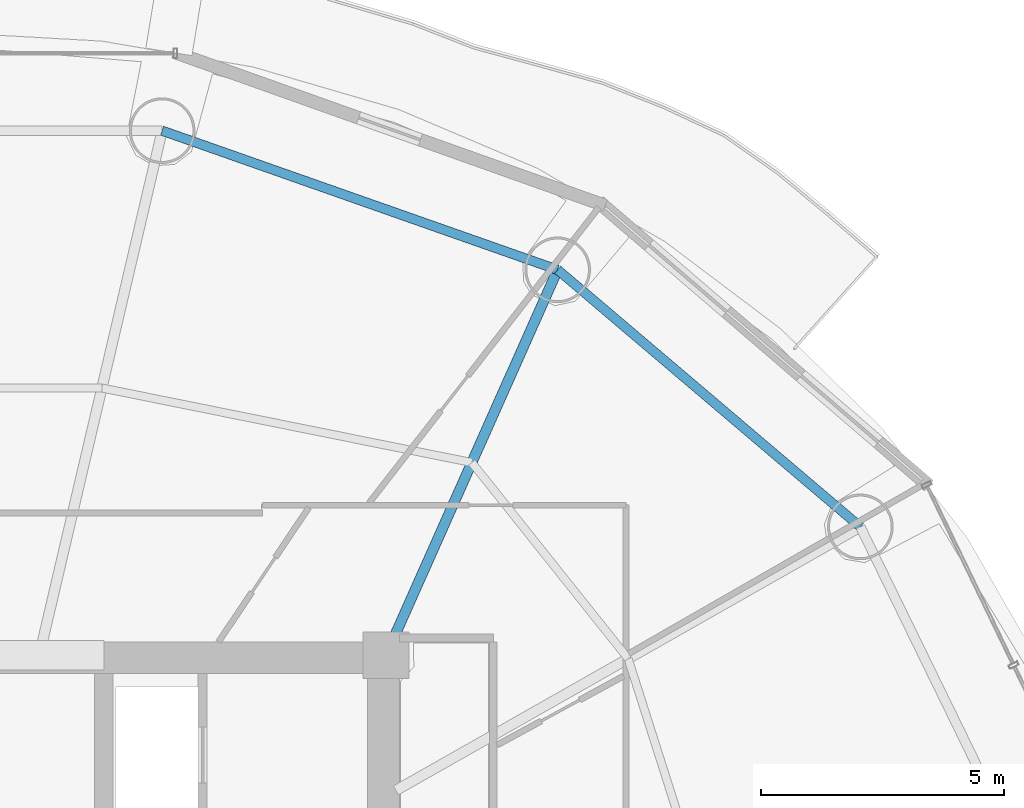
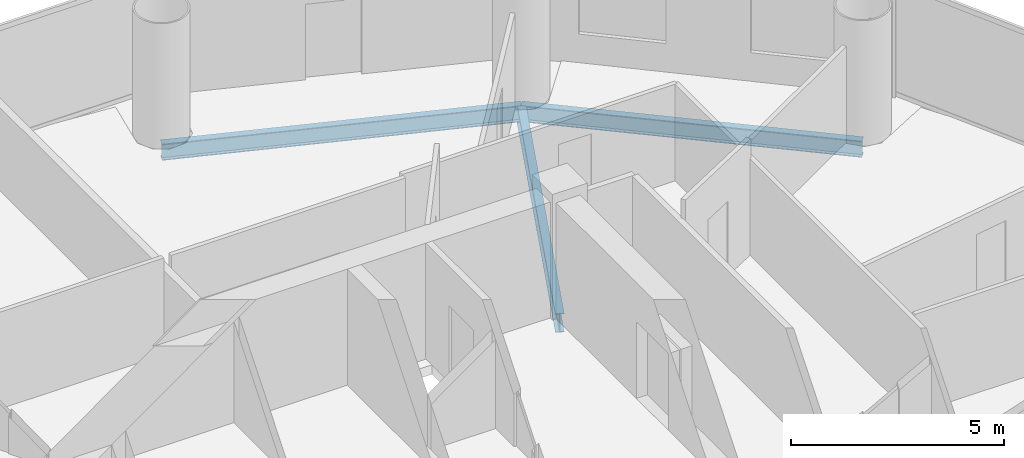
# One storey, part 17 of 26: 3 beams.
"""IFC4 building model written with IfcOpenShell, lengths in metres."""

from ifc_helpers import new_model, si_unit, direction, frame, origin, origin_2d, place, context, subcontext, project, spatial, i_section, extrude, material, material_profile, profile_set, type_object, element, save


model = new_model("IFC4")

# Units and contexts
model_context = context("Model", 3, precision=1e-05, world=origin(), true_north=direction((-0.2419218956, 0.970295726276)))
body_context = subcontext(model_context, "Body", "Model", "MODEL_VIEW")
ifc_project = project(units=[si_unit("LENGTHUNIT", "METRE"), si_unit("AREAUNIT", "SQUARE_METRE"), si_unit("VOLUMEUNIT", "CUBIC_METRE"), si_unit("PLANEANGLEUNIT", "RADIAN"), si_unit("MASSUNIT", "GRAM", prefix="KILO")], contexts=[model_context])

# Site, building, storey
site_placement = place(None, origin())
site = spatial("IfcSite", under=ifc_project, at=site_placement, CompositionType="ELEMENT")
building_placement = place(site_placement, origin())
building = spatial("IfcBuilding", under=site, at=building_placement, Name="Cobrevalo Terracotta Tower", CompositionType="ELEMENT")
storey_placement = place(building_placement, frame((0.0, 0.0, 175.0)))
storey = spatial("IfcBuildingStorey", under=building, at=storey_placement, Name="L46", CompositionType="ELEMENT", Elevation=175.0)

# Beams
ifc_material = material(Name="Steel S355", Category="steel")
ifc_material_profile_1 = material_profile(ifc_material, i_section(OverallWidth=0.2109375, OverallDepth=0.5390625, WebThickness=0.01171875, FlangeThickness=0.018798828125, at=origin_2d()), Name="W 530x109")
ifc_profile_set_1 = profile_set([ifc_material_profile_1], Name="Steel S355")
beam_type_1 = type_object("IfcBeamType", Name="Structural Beam W 530x109 (Steel S355)", PredefinedType="BEAM", material=ifc_profile_set_1)
beam_1_placement = place(storey_placement, frame((50.528076171875, 42.72265625, -0.53955078125), z_axis=(-0.406804395691, -0.913515289224, 0.0), x_axis=(0.913515289224, -0.406804395691, 0.0)))
element("IfcBeam", 1, at=beam_1_placement, inside=storey, type_object=beam_type_1, Name="L46 radial floor girder 03", PredefinedType="BEAM", context=body_context, shape_type="SweptSolid", body=[
    extrude(i_section(OverallWidth=0.2109375, OverallDepth=0.5390625, WebThickness=0.01171875, FlangeThickness=0.018798828125, at=origin_2d()), origin(), (0.0, 0.0, 1.0), 8.672607421875),
])
ifc_material_profile_2 = material_profile(ifc_material, i_section(OverallWidth=0.194091796875, OverallDepth=0.468994140625, WebThickness=0.011474609375, FlangeThickness=0.0205078125, at=origin_2d()), Name="W 460x106")
ifc_profile_set_2 = profile_set([ifc_material_profile_2], Name="Steel S355")
beam_type_2 = type_object("IfcBeamType", Name="Structural Spandrel W 460x106 (Steel S355)", PredefinedType="SPANDREL", material=ifc_profile_set_2)
beam_2_placement = place(storey_placement, frame((56.749755859375, 37.439208984375, -0.50439453125), z_axis=(-0.762240337798, 0.647294112003, 0.0), x_axis=(-0.647294112003, -0.762240337798, 0.0)))
element("IfcBeam", 2, at=beam_2_placement, inside=storey, type_object=beam_type_2, Name="L46 perimeter ring spandrel 02", PredefinedType="SPANDREL", context=body_context, shape_type="SweptSolid", body=[
    extrude(i_section(OverallWidth=0.194091796875, OverallDepth=0.468994140625, WebThickness=0.011474609375, FlangeThickness=0.0205078125, at=origin_2d()), origin(), (0.0, 0.0, 1.0), 8.162353515625),
])
beam_3_placement = place(storey_placement, frame((50.528076171875, 42.72265625, -0.50439453125), z_axis=(-0.943341298492, 0.331824041565, 0.0), x_axis=(-0.331824041565, -0.943341298492, 0.0)))
element("IfcBeam", 3, at=beam_3_placement, inside=storey, type_object=beam_type_2, Name="L46 perimeter ring spandrel 03", PredefinedType="SPANDREL", context=body_context, shape_type="SweptSolid", body=[
    extrude(i_section(OverallWidth=0.194091796875, OverallDepth=0.468994140625, WebThickness=0.011474609375, FlangeThickness=0.0205078125, at=origin_2d()), origin(), (0.0, 0.0, 1.0), 8.6171875),
])

save(model, "model.ifc")
